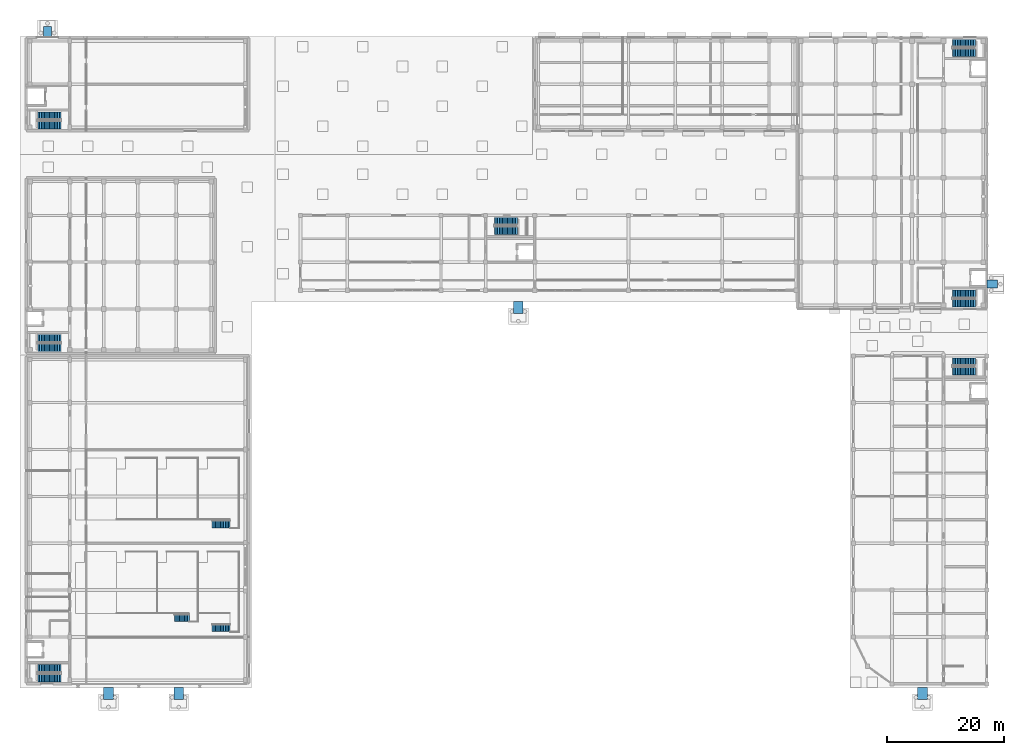
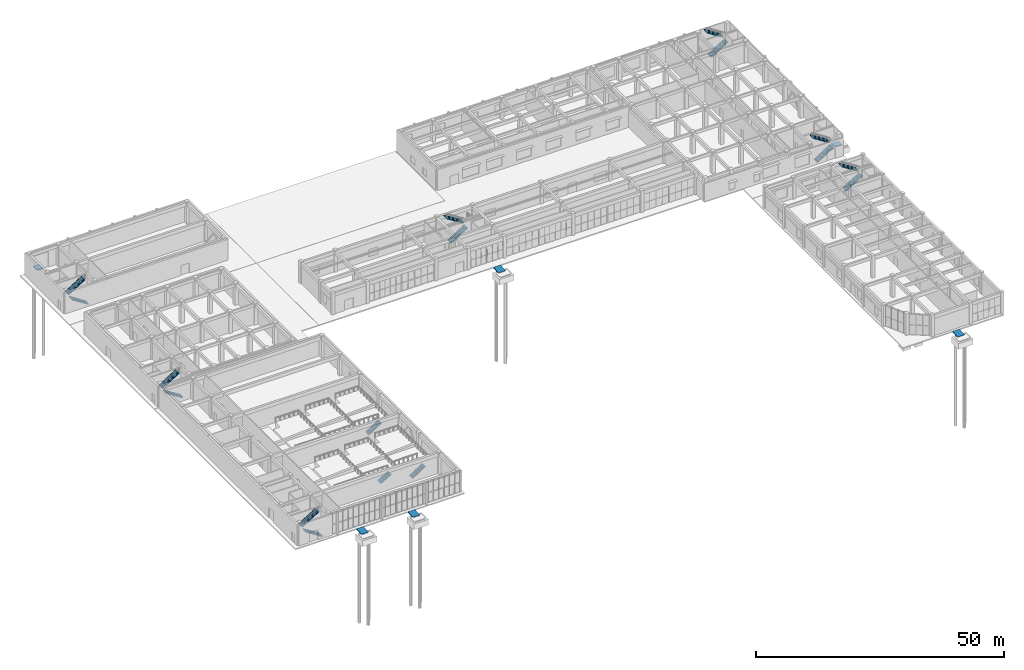
# One storey, part 37 of 46: 17 stair flights, 6 ramp flights, 10 elements without a shape of their own.
"""IFC4 building model written with IfcOpenShell, lengths in metres."""

from ifc_helpers import new_model, si_unit, direction, frame, origin, place, context, subcontext, project, spatial, polyline, outline, extrude, material, type_object, element, aggregate, save


model = new_model("IFC4")

# Units and contexts
model_context = context("Model", 3, precision=1e-05, world=origin(), true_north=direction((0.0, 1.0)))
body_context = subcontext(model_context, "Body", "Model", "MODEL_VIEW")
ifc_project = project(units=[si_unit("LENGTHUNIT", "METRE"), si_unit("AREAUNIT", "SQUARE_METRE"), si_unit("VOLUMEUNIT", "CUBIC_METRE"), si_unit("PLANEANGLEUNIT", "RADIAN"), si_unit("MASSUNIT", "GRAM", prefix="KILO")], contexts=[model_context])

# Site, building, storey
site_placement = place(None, origin())
site = spatial("IfcSite", under=ifc_project, at=site_placement, CompositionType="ELEMENT")
building_placement = place(site_placement, origin())
building = spatial("IfcBuilding", under=site, at=building_placement, Name="Cinchona Park Media Centre", CompositionType="ELEMENT")
storey_placement = place(building_placement, origin())
storey = spatial("IfcBuildingStorey", under=building, at=storey_placement, Name="L00", CompositionType="ELEMENT", Elevation=0.0)

# Stair, stair flights
ifc_material_1 = material(Name="Concrete C35/45", Category="concrete")
stair_type_1 = type_object("IfcStairType", Name="STAIR-ST1-HT54", PredefinedType="HALF_TURN_STAIR", material=ifc_material_1)
stair_1_placement = place(storey_placement, origin())
stair_1 = element("IfcStair", 1, at=stair_1_placement, inside=storey, type_object=stair_type_1, Name="Exit Stair ST1 L00", PredefinedType="HALF_TURN_STAIR")
ifc_material_2 = material(Name="Concrete C35/45", Category="concrete")
stair_flight_type_1 = type_object("IfcStairFlightType", Name="FLIGHT-ST1", PredefinedType="STRAIGHT", material=ifc_material_2)
stair_flight_1_placement = place(storey_placement, frame((166.10009765625, 72.6201171875, 0.0), z_axis=(0.0, 0.0, 1.0), x_axis=(1.0, 0.0, 0.0)))
stair_flight_1 = element("IfcStairFlight", 2, at=stair_flight_1_placement, type_object=stair_flight_type_1, Name="ST1 flight 1", NumberOfRisers=15, NumberOfTreads=14, PredefinedType="STRAIGHT", RiserHeight=0.18, TreadLength=0.28, context=body_context, shape_type="SweptSolid", body=[
    extrude(outline(polyline([(0.0, 0.0), (0.0, 0.179931640625), (0.280029296875, 0.179931640625), (0.280029296875, 0.360107421875), (0.56005859375, 0.360107421875), (0.56005859375, 0.5400390625), (0.840087890625, 0.5400390625), (0.840087890625, 0.719970703125), (1.1201171875, 0.719970703125), (1.1201171875, 0.89990234375), (1.39990234375, 0.89990234375), (1.39990234375, 1.080078125), (1.679931640625, 1.080078125), (1.679931640625, 1.260009765625), (1.9599609375, 1.260009765625), (1.9599609375, 1.43994140625), (2.239990234375, 1.43994140625), (2.239990234375, 1.6201171875), (2.52001953125, 1.6201171875), (2.52001953125, 1.800048828125), (2.800048828125, 1.800048828125), (2.800048828125, 1.97998046875), (3.080078125, 1.97998046875), (3.080078125, 2.159912109375), (3.360107421875, 2.159912109375), (3.360107421875, 2.340087890625), (3.639892578125, 2.340087890625), (3.639892578125, 2.52001953125), (3.919921875, 2.52001953125), (3.919921875, 2.699951171875), (3.919921875, 2.329833984375), (0.295654296875, 0.0), (0.0, 0.0)])), frame((0.0, 0.68017578125, 0.0), z_axis=(0.0, -1.0, 0.0), x_axis=(1.0, 0.0, 0.0)), (0.0, 0.0, 1.0), 1.360107421875),
])
stair_flight_2_placement = place(storey_placement, frame((170.02001953125, 74.179931640625, 2.699951171875), z_axis=(0.0, 0.0, 1.0), x_axis=(-1.0, 0.0, 0.0)))
stair_flight_2 = element("IfcStairFlight", 3, at=stair_flight_2_placement, type_object=stair_flight_type_1, Name="ST1 flight 2", NumberOfRisers=15, NumberOfTreads=14, PredefinedType="STRAIGHT", RiserHeight=0.18, TreadLength=0.28, context=body_context, shape_type="SweptSolid", body=[
    extrude(outline(polyline([(0.0, 0.0), (0.0, 0.179931640625), (0.280029296875, 0.179931640625), (0.280029296875, 0.360107421875), (0.56005859375, 0.360107421875), (0.56005859375, 0.5400390625), (0.840087890625, 0.5400390625), (0.840087890625, 0.719970703125), (1.1201171875, 0.719970703125), (1.1201171875, 0.89990234375), (1.39990234375, 0.89990234375), (1.39990234375, 1.080078125), (1.679931640625, 1.080078125), (1.679931640625, 1.260009765625), (1.9599609375, 1.260009765625), (1.9599609375, 1.43994140625), (2.239990234375, 1.43994140625), (2.239990234375, 1.6201171875), (2.52001953125, 1.6201171875), (2.52001953125, 1.800048828125), (2.800048828125, 1.800048828125), (2.800048828125, 1.97998046875), (3.080078125, 1.97998046875), (3.080078125, 2.159912109375), (3.360107421875, 2.159912109375), (3.360107421875, 2.340087890625), (3.639892578125, 2.340087890625), (3.639892578125, 2.52001953125), (3.919921875, 2.52001953125), (3.919921875, 2.699951171875), (3.919921875, 2.329833984375), (0.295654296875, 0.0), (0.0, 0.0)])), frame((0.0, 0.68017578125, 0.0), z_axis=(0.0, -1.0, 0.0), x_axis=(1.0, 0.0, 0.0)), (0.0, 0.0, 1.0), 1.360107421875),
])
aggregate(stair_1, [stair_flight_1, stair_flight_2])

ifc_material_3 = material(Name="Concrete C35/45", Category="concrete")
stair_type_2 = type_object("IfcStairType", Name="STAIR-ST2-HT54", PredefinedType="HALF_TURN_STAIR", material=ifc_material_3)
stair_2_placement = place(storey_placement, origin())
stair_2 = element("IfcStair", 4, at=stair_2_placement, inside=storey, type_object=stair_type_2, Name="Exit Stair ST2 L00", PredefinedType="HALF_TURN_STAIR")
ifc_material_4 = material(Name="Concrete C35/45", Category="concrete")
stair_flight_type_2 = type_object("IfcStairFlightType", Name="FLIGHT-ST2", PredefinedType="STRAIGHT", material=ifc_material_4)
stair_flight_3_placement = place(storey_placement, frame((166.10009765625, 115.419921875, 0.0), z_axis=(0.0, 0.0, 1.0), x_axis=(1.0, 0.0, 0.0)))
stair_flight_3 = element("IfcStairFlight", 5, at=stair_flight_3_placement, type_object=stair_flight_type_2, Name="ST2 flight 1", NumberOfRisers=15, NumberOfTreads=14, PredefinedType="STRAIGHT", RiserHeight=0.18, TreadLength=0.28, context=body_context, shape_type="SweptSolid", body=[
    extrude(outline(polyline([(0.0, 0.0), (0.0, 0.179931640625), (0.280029296875, 0.179931640625), (0.280029296875, 0.360107421875), (0.56005859375, 0.360107421875), (0.56005859375, 0.5400390625), (0.840087890625, 0.5400390625), (0.840087890625, 0.719970703125), (1.1201171875, 0.719970703125), (1.1201171875, 0.89990234375), (1.39990234375, 0.89990234375), (1.39990234375, 1.080078125), (1.679931640625, 1.080078125), (1.679931640625, 1.260009765625), (1.9599609375, 1.260009765625), (1.9599609375, 1.43994140625), (2.239990234375, 1.43994140625), (2.239990234375, 1.6201171875), (2.52001953125, 1.6201171875), (2.52001953125, 1.800048828125), (2.800048828125, 1.800048828125), (2.800048828125, 1.97998046875), (3.080078125, 1.97998046875), (3.080078125, 2.159912109375), (3.360107421875, 2.159912109375), (3.360107421875, 2.340087890625), (3.639892578125, 2.340087890625), (3.639892578125, 2.52001953125), (3.919921875, 2.52001953125), (3.919921875, 2.699951171875), (3.919921875, 2.329833984375), (0.295654296875, 0.0), (0.0, 0.0)])), frame((0.0, 0.68017578125, 0.0), z_axis=(0.0, -1.0, 0.0), x_axis=(1.0, 0.0, 0.0)), (0.0, 0.0, 1.0), 1.360107421875),
])
stair_flight_4_placement = place(storey_placement, frame((170.02001953125, 116.97998046875, 2.699951171875), z_axis=(0.0, 0.0, 1.0), x_axis=(-1.0, 0.0, 0.0)))
stair_flight_4 = element("IfcStairFlight", 6, at=stair_flight_4_placement, type_object=stair_flight_type_2, Name="ST2 flight 2", NumberOfRisers=15, NumberOfTreads=14, PredefinedType="STRAIGHT", RiserHeight=0.18, TreadLength=0.28, context=body_context, shape_type="SweptSolid", body=[
    extrude(outline(polyline([(0.0, 0.0), (0.0, 0.179931640625), (0.280029296875, 0.179931640625), (0.280029296875, 0.360107421875), (0.56005859375, 0.360107421875), (0.56005859375, 0.5400390625), (0.840087890625, 0.5400390625), (0.840087890625, 0.719970703125), (1.1201171875, 0.719970703125), (1.1201171875, 0.89990234375), (1.39990234375, 0.89990234375), (1.39990234375, 1.080078125), (1.679931640625, 1.080078125), (1.679931640625, 1.260009765625), (1.9599609375, 1.260009765625), (1.9599609375, 1.43994140625), (2.239990234375, 1.43994140625), (2.239990234375, 1.6201171875), (2.52001953125, 1.6201171875), (2.52001953125, 1.800048828125), (2.800048828125, 1.800048828125), (2.800048828125, 1.97998046875), (3.080078125, 1.97998046875), (3.080078125, 2.159912109375), (3.360107421875, 2.159912109375), (3.360107421875, 2.340087890625), (3.639892578125, 2.340087890625), (3.639892578125, 2.52001953125), (3.919921875, 2.52001953125), (3.919921875, 2.699951171875), (3.919921875, 2.329833984375), (0.295654296875, 0.0), (0.0, 0.0)])), frame((0.0, 0.68017578125, 0.0), z_axis=(0.0, -1.0, 0.0), x_axis=(1.0, 0.0, 0.0)), (0.0, 0.0, 1.0), 1.360107421875),
])
aggregate(stair_2, [stair_flight_3, stair_flight_4])

ifc_material_5 = material(Name="Concrete C35/45", Category="concrete")
stair_type_3 = type_object("IfcStairType", Name="STAIR-ST3-HT54", PredefinedType="HALF_TURN_STAIR", material=ifc_material_5)
stair_3_placement = place(storey_placement, origin())
stair_3 = element("IfcStair", 7, at=stair_3_placement, inside=storey, type_object=stair_type_3, Name="Exit Stair ST3 L00", PredefinedType="HALF_TURN_STAIR")
ifc_material_6 = material(Name="Concrete C35/45", Category="concrete")
stair_flight_type_3 = type_object("IfcStairFlightType", Name="FLIGHT-ST3", PredefinedType="STRAIGHT", material=ifc_material_6)
stair_flight_5_placement = place(storey_placement, frame((13.89990234375, 65.02001953125, 0.0), z_axis=(0.0, 0.0, 1.0), x_axis=(-1.0, 0.0, 0.0)))
stair_flight_5 = element("IfcStairFlight", 8, at=stair_flight_5_placement, type_object=stair_flight_type_3, Name="ST3 flight 1", NumberOfRisers=15, NumberOfTreads=14, PredefinedType="STRAIGHT", RiserHeight=0.18, TreadLength=0.28, context=body_context, shape_type="SweptSolid", body=[
    extrude(outline(polyline([(0.0, 0.0), (0.0, 0.179931640625), (0.280029296875, 0.179931640625), (0.280029296875, 0.360107421875), (0.56005859375, 0.360107421875), (0.56005859375, 0.5400390625), (0.840087890625, 0.5400390625), (0.840087890625, 0.719970703125), (1.1201171875, 0.719970703125), (1.1201171875, 0.89990234375), (1.39990234375, 0.89990234375), (1.39990234375, 1.080078125), (1.679931640625, 1.080078125), (1.679931640625, 1.260009765625), (1.9599609375, 1.260009765625), (1.9599609375, 1.43994140625), (2.239990234375, 1.43994140625), (2.239990234375, 1.6201171875), (2.52001953125, 1.6201171875), (2.52001953125, 1.800048828125), (2.800048828125, 1.800048828125), (2.800048828125, 1.97998046875), (3.080078125, 1.97998046875), (3.080078125, 2.159912109375), (3.360107421875, 2.159912109375), (3.360107421875, 2.340087890625), (3.639892578125, 2.340087890625), (3.639892578125, 2.52001953125), (3.919921875, 2.52001953125), (3.919921875, 2.699951171875), (3.919921875, 2.329833984375), (0.295654296875, 0.0), (0.0, 0.0)])), frame((0.0, 0.68017578125, 0.0), z_axis=(0.0, -1.0, 0.0), x_axis=(1.0, 0.0, 0.0)), (0.0, 0.0, 1.0), 1.360107421875),
])
stair_flight_6_placement = place(storey_placement, frame((9.97998046875, 66.580078125, 2.699951171875), z_axis=(0.0, 0.0, 1.0), x_axis=(1.0, 0.0, 0.0)))
stair_flight_6 = element("IfcStairFlight", 9, at=stair_flight_6_placement, type_object=stair_flight_type_3, Name="ST3 flight 2", NumberOfRisers=15, NumberOfTreads=14, PredefinedType="STRAIGHT", RiserHeight=0.18, TreadLength=0.28, context=body_context, shape_type="SweptSolid", body=[
    extrude(outline(polyline([(0.0, 0.0), (0.0, 0.179931640625), (0.280029296875, 0.179931640625), (0.280029296875, 0.360107421875), (0.56005859375, 0.360107421875), (0.56005859375, 0.5400390625), (0.840087890625, 0.5400390625), (0.840087890625, 0.719970703125), (1.1201171875, 0.719970703125), (1.1201171875, 0.89990234375), (1.39990234375, 0.89990234375), (1.39990234375, 1.080078125), (1.679931640625, 1.080078125), (1.679931640625, 1.260009765625), (1.9599609375, 1.260009765625), (1.9599609375, 1.43994140625), (2.239990234375, 1.43994140625), (2.239990234375, 1.6201171875), (2.52001953125, 1.6201171875), (2.52001953125, 1.800048828125), (2.800048828125, 1.800048828125), (2.800048828125, 1.97998046875), (3.080078125, 1.97998046875), (3.080078125, 2.159912109375), (3.360107421875, 2.159912109375), (3.360107421875, 2.340087890625), (3.639892578125, 2.340087890625), (3.639892578125, 2.52001953125), (3.919921875, 2.52001953125), (3.919921875, 2.699951171875), (3.919921875, 2.329833984375), (0.295654296875, 0.0), (0.0, 0.0)])), frame((0.0, 0.68017578125, 0.0), z_axis=(0.0, -1.0, 0.0), x_axis=(1.0, 0.0, 0.0)), (0.0, 0.0, 1.0), 1.360107421875),
])
aggregate(stair_3, [stair_flight_5, stair_flight_6])

ifc_material_7 = material(Name="Concrete C35/45", Category="concrete")
stair_type_4 = type_object("IfcStairType", Name="STAIR-ST4-HT54", PredefinedType="HALF_TURN_STAIR", material=ifc_material_7)
stair_4_placement = place(storey_placement, origin())
stair_4 = element("IfcStair", 10, at=stair_4_placement, inside=storey, type_object=stair_type_4, Name="Exit Stair ST4 L00", PredefinedType="HALF_TURN_STAIR")
ifc_material_8 = material(Name="Concrete C35/45", Category="concrete")
stair_flight_type_4 = type_object("IfcStairFlightType", Name="FLIGHT-ST4", PredefinedType="STRAIGHT", material=ifc_material_8)
stair_flight_7_placement = place(storey_placement, frame((13.89990234375, 103.02001953125, 0.0), z_axis=(0.0, 0.0, 1.0), x_axis=(-1.0, 0.0, 0.0)))
stair_flight_7 = element("IfcStairFlight", 11, at=stair_flight_7_placement, type_object=stair_flight_type_4, Name="ST4 flight 1", NumberOfRisers=15, NumberOfTreads=14, PredefinedType="STRAIGHT", RiserHeight=0.18, TreadLength=0.28, context=body_context, shape_type="SweptSolid", body=[
    extrude(outline(polyline([(0.0, 0.0), (0.0, 0.179931640625), (0.280029296875, 0.179931640625), (0.280029296875, 0.360107421875), (0.56005859375, 0.360107421875), (0.56005859375, 0.5400390625), (0.840087890625, 0.5400390625), (0.840087890625, 0.719970703125), (1.1201171875, 0.719970703125), (1.1201171875, 0.89990234375), (1.39990234375, 0.89990234375), (1.39990234375, 1.080078125), (1.679931640625, 1.080078125), (1.679931640625, 1.260009765625), (1.9599609375, 1.260009765625), (1.9599609375, 1.43994140625), (2.239990234375, 1.43994140625), (2.239990234375, 1.6201171875), (2.52001953125, 1.6201171875), (2.52001953125, 1.800048828125), (2.800048828125, 1.800048828125), (2.800048828125, 1.97998046875), (3.080078125, 1.97998046875), (3.080078125, 2.159912109375), (3.360107421875, 2.159912109375), (3.360107421875, 2.340087890625), (3.639892578125, 2.340087890625), (3.639892578125, 2.52001953125), (3.919921875, 2.52001953125), (3.919921875, 2.699951171875), (3.919921875, 2.329833984375), (0.295654296875, 0.0), (0.0, 0.0)])), frame((0.0, 0.68017578125, 0.0), z_axis=(0.0, -1.0, 0.0), x_axis=(1.0, 0.0, 0.0)), (0.0, 0.0, 1.0), 1.360107421875),
])
stair_flight_8_placement = place(storey_placement, frame((9.97998046875, 104.580078125, 2.699951171875), z_axis=(0.0, 0.0, 1.0), x_axis=(1.0, 0.0, 0.0)))
stair_flight_8 = element("IfcStairFlight", 12, at=stair_flight_8_placement, type_object=stair_flight_type_4, Name="ST4 flight 2", NumberOfRisers=15, NumberOfTreads=14, PredefinedType="STRAIGHT", RiserHeight=0.18, TreadLength=0.28, context=body_context, shape_type="SweptSolid", body=[
    extrude(outline(polyline([(0.0, 0.0), (0.0, 0.179931640625), (0.280029296875, 0.179931640625), (0.280029296875, 0.360107421875), (0.56005859375, 0.360107421875), (0.56005859375, 0.5400390625), (0.840087890625, 0.5400390625), (0.840087890625, 0.719970703125), (1.1201171875, 0.719970703125), (1.1201171875, 0.89990234375), (1.39990234375, 0.89990234375), (1.39990234375, 1.080078125), (1.679931640625, 1.080078125), (1.679931640625, 1.260009765625), (1.9599609375, 1.260009765625), (1.9599609375, 1.43994140625), (2.239990234375, 1.43994140625), (2.239990234375, 1.6201171875), (2.52001953125, 1.6201171875), (2.52001953125, 1.800048828125), (2.800048828125, 1.800048828125), (2.800048828125, 1.97998046875), (3.080078125, 1.97998046875), (3.080078125, 2.159912109375), (3.360107421875, 2.159912109375), (3.360107421875, 2.340087890625), (3.639892578125, 2.340087890625), (3.639892578125, 2.52001953125), (3.919921875, 2.52001953125), (3.919921875, 2.699951171875), (3.919921875, 2.329833984375), (0.295654296875, 0.0), (0.0, 0.0)])), frame((0.0, 0.68017578125, 0.0), z_axis=(0.0, -1.0, 0.0), x_axis=(1.0, 0.0, 0.0)), (0.0, 0.0, 1.0), 1.360107421875),
])
aggregate(stair_4, [stair_flight_7, stair_flight_8])

ifc_material_9 = material(Name="Concrete C35/45", Category="concrete")
stair_type_5 = type_object("IfcStairType", Name="STAIR-ST5-HT54", PredefinedType="HALF_TURN_STAIR", material=ifc_material_9)
stair_5_placement = place(storey_placement, origin())
stair_5 = element("IfcStair", 13, at=stair_5_placement, inside=storey, type_object=stair_type_5, Name="Exit Stair ST5 L00", PredefinedType="HALF_TURN_STAIR")
ifc_material_10 = material(Name="Concrete C35/45", Category="concrete")
stair_flight_type_5 = type_object("IfcStairFlightType", Name="FLIGHT-ST5", PredefinedType="STRAIGHT", material=ifc_material_10)
stair_flight_9_placement = place(storey_placement, frame((87.89990234375, 85.02001953125, 0.0), z_axis=(0.0, 0.0, 1.0), x_axis=(1.0, 0.0, 0.0)))
stair_flight_9 = element("IfcStairFlight", 14, at=stair_flight_9_placement, type_object=stair_flight_type_5, Name="ST5 flight 1", NumberOfRisers=15, NumberOfTreads=14, PredefinedType="STRAIGHT", RiserHeight=0.18, TreadLength=0.28, context=body_context, shape_type="SweptSolid", body=[
    extrude(outline(polyline([(0.0, 0.0), (0.0, 0.179931640625), (0.280029296875, 0.179931640625), (0.280029296875, 0.360107421875), (0.56005859375, 0.360107421875), (0.56005859375, 0.5400390625), (0.840087890625, 0.5400390625), (0.840087890625, 0.719970703125), (1.1201171875, 0.719970703125), (1.1201171875, 0.89990234375), (1.39990234375, 0.89990234375), (1.39990234375, 1.080078125), (1.679931640625, 1.080078125), (1.679931640625, 1.260009765625), (1.9599609375, 1.260009765625), (1.9599609375, 1.43994140625), (2.239990234375, 1.43994140625), (2.239990234375, 1.6201171875), (2.52001953125, 1.6201171875), (2.52001953125, 1.800048828125), (2.800048828125, 1.800048828125), (2.800048828125, 1.97998046875), (3.080078125, 1.97998046875), (3.080078125, 2.159912109375), (3.360107421875, 2.159912109375), (3.360107421875, 2.340087890625), (3.639892578125, 2.340087890625), (3.639892578125, 2.52001953125), (3.919921875, 2.52001953125), (3.919921875, 2.699951171875), (3.919921875, 2.329833984375), (0.295654296875, 0.0), (0.0, 0.0)])), frame((0.0, 0.68017578125, 0.0), z_axis=(0.0, -1.0, 0.0), x_axis=(1.0, 0.0, 0.0)), (0.0, 0.0, 1.0), 1.360107421875),
])
stair_flight_10_placement = place(storey_placement, frame((91.820068359375, 86.580078125, 2.699951171875), z_axis=(0.0, 0.0, 1.0), x_axis=(-1.0, 0.0, 0.0)))
stair_flight_10 = element("IfcStairFlight", 15, at=stair_flight_10_placement, type_object=stair_flight_type_5, Name="ST5 flight 2", NumberOfRisers=15, NumberOfTreads=14, PredefinedType="STRAIGHT", RiserHeight=0.18, TreadLength=0.28, context=body_context, shape_type="SweptSolid", body=[
    extrude(outline(polyline([(0.0, 0.0), (0.0, 0.179931640625), (0.280029296875, 0.179931640625), (0.280029296875, 0.360107421875), (0.56005859375, 0.360107421875), (0.56005859375, 0.5400390625), (0.840087890625, 0.5400390625), (0.840087890625, 0.719970703125), (1.1201171875, 0.719970703125), (1.1201171875, 0.89990234375), (1.39990234375, 0.89990234375), (1.39990234375, 1.080078125), (1.679931640625, 1.080078125), (1.679931640625, 1.260009765625), (1.9599609375, 1.260009765625), (1.9599609375, 1.43994140625), (2.239990234375, 1.43994140625), (2.239990234375, 1.6201171875), (2.52001953125, 1.6201171875), (2.52001953125, 1.800048828125), (2.800048828125, 1.800048828125), (2.800048828125, 1.97998046875), (3.080078125, 1.97998046875), (3.080078125, 2.159912109375), (3.360107421875, 2.159912109375), (3.360107421875, 2.340087890625), (3.639892578125, 2.340087890625), (3.639892578125, 2.52001953125), (3.919921875, 2.52001953125), (3.919921875, 2.699951171875), (3.919921875, 2.329833984375), (0.295654296875, 0.0), (0.0, 0.0)])), frame((0.0, 0.68017578125, 0.0), z_axis=(0.0, -1.0, 0.0), x_axis=(1.0, 0.0, 0.0)), (0.0, 0.0, 1.0), 1.360107421875),
])
aggregate(stair_5, [stair_flight_9, stair_flight_10])

ifc_material_11 = material(Name="Concrete C35/45", Category="concrete")
stair_type_6 = type_object("IfcStairType", Name="STAIR-ST6-HT54", PredefinedType="HALF_TURN_STAIR", material=ifc_material_11)
stair_6_placement = place(storey_placement, origin())
stair_6 = element("IfcStair", 16, at=stair_6_placement, inside=storey, type_object=stair_type_6, Name="Exit Stair ST6 L00", PredefinedType="HALF_TURN_STAIR")
ifc_material_12 = material(Name="Concrete C35/45", Category="concrete")
stair_flight_type_6 = type_object("IfcStairFlightType", Name="FLIGHT-ST6", PredefinedType="STRAIGHT", material=ifc_material_12)
stair_flight_11_placement = place(storey_placement, frame((13.89990234375, 8.6201171875, 0.0), z_axis=(0.0, 0.0, 1.0), x_axis=(-1.0, 0.0, 0.0)))
stair_flight_11 = element("IfcStairFlight", 17, at=stair_flight_11_placement, type_object=stair_flight_type_6, Name="ST6 flight 1", NumberOfRisers=15, NumberOfTreads=14, PredefinedType="STRAIGHT", RiserHeight=0.18, TreadLength=0.28, context=body_context, shape_type="SweptSolid", body=[
    extrude(outline(polyline([(0.0, 0.0), (0.0, 0.179931640625), (0.280029296875, 0.179931640625), (0.280029296875, 0.360107421875), (0.56005859375, 0.360107421875), (0.56005859375, 0.5400390625), (0.840087890625, 0.5400390625), (0.840087890625, 0.719970703125), (1.1201171875, 0.719970703125), (1.1201171875, 0.89990234375), (1.39990234375, 0.89990234375), (1.39990234375, 1.080078125), (1.679931640625, 1.080078125), (1.679931640625, 1.260009765625), (1.9599609375, 1.260009765625), (1.9599609375, 1.43994140625), (2.239990234375, 1.43994140625), (2.239990234375, 1.6201171875), (2.52001953125, 1.6201171875), (2.52001953125, 1.800048828125), (2.800048828125, 1.800048828125), (2.800048828125, 1.97998046875), (3.080078125, 1.97998046875), (3.080078125, 2.159912109375), (3.360107421875, 2.159912109375), (3.360107421875, 2.340087890625), (3.639892578125, 2.340087890625), (3.639892578125, 2.52001953125), (3.919921875, 2.52001953125), (3.919921875, 2.699951171875), (3.919921875, 2.329833984375), (0.295654296875, 0.0), (0.0, 0.0)])), frame((0.0, 0.68017578125, 0.0), z_axis=(0.0, -1.0, 0.0), x_axis=(1.0, 0.0, 0.0)), (0.0, 0.0, 1.0), 1.360107421875),
])
stair_flight_12_placement = place(storey_placement, frame((9.97998046875, 10.179931640625, 2.699951171875), z_axis=(0.0, 0.0, 1.0), x_axis=(1.0, 0.0, 0.0)))
stair_flight_12 = element("IfcStairFlight", 18, at=stair_flight_12_placement, type_object=stair_flight_type_6, Name="ST6 flight 2", NumberOfRisers=15, NumberOfTreads=14, PredefinedType="STRAIGHT", RiserHeight=0.18, TreadLength=0.28, context=body_context, shape_type="SweptSolid", body=[
    extrude(outline(polyline([(0.0, 0.0), (0.0, 0.179931640625), (0.280029296875, 0.179931640625), (0.280029296875, 0.360107421875), (0.56005859375, 0.360107421875), (0.56005859375, 0.5400390625), (0.840087890625, 0.5400390625), (0.840087890625, 0.719970703125), (1.1201171875, 0.719970703125), (1.1201171875, 0.89990234375), (1.39990234375, 0.89990234375), (1.39990234375, 1.080078125), (1.679931640625, 1.080078125), (1.679931640625, 1.260009765625), (1.9599609375, 1.260009765625), (1.9599609375, 1.43994140625), (2.239990234375, 1.43994140625), (2.239990234375, 1.6201171875), (2.52001953125, 1.6201171875), (2.52001953125, 1.800048828125), (2.800048828125, 1.800048828125), (2.800048828125, 1.97998046875), (3.080078125, 1.97998046875), (3.080078125, 2.159912109375), (3.360107421875, 2.159912109375), (3.360107421875, 2.340087890625), (3.639892578125, 2.340087890625), (3.639892578125, 2.52001953125), (3.919921875, 2.52001953125), (3.919921875, 2.699951171875), (3.919921875, 2.329833984375), (0.295654296875, 0.0), (0.0, 0.0)])), frame((0.0, 0.68017578125, 0.0), z_axis=(0.0, -1.0, 0.0), x_axis=(1.0, 0.0, 0.0)), (0.0, 0.0, 1.0), 1.360107421875),
])
aggregate(stair_6, [stair_flight_11, stair_flight_12])

ifc_material_13 = material(Name="Concrete C35/45", Category="concrete")
stair_type_7 = type_object("IfcStairType", Name="STAIR-ST7-HT54", PredefinedType="HALF_TURN_STAIR", material=ifc_material_13)
stair_7_placement = place(storey_placement, origin())
stair_7 = element("IfcStair", 19, at=stair_7_placement, inside=storey, type_object=stair_type_7, Name="Exit Stair ST7 L00", PredefinedType="HALF_TURN_STAIR")
ifc_material_14 = material(Name="Concrete C35/45", Category="concrete")
stair_flight_type_7 = type_object("IfcStairFlightType", Name="FLIGHT-ST7", PredefinedType="STRAIGHT", material=ifc_material_14)
stair_flight_13_placement = place(storey_placement, frame((166.10009765625, 61.02001953125, 0.0), z_axis=(0.0, 0.0, 1.0), x_axis=(1.0, 0.0, 0.0)))
stair_flight_13 = element("IfcStairFlight", 20, at=stair_flight_13_placement, type_object=stair_flight_type_7, Name="ST7 flight 1", NumberOfRisers=15, NumberOfTreads=14, PredefinedType="STRAIGHT", RiserHeight=0.18, TreadLength=0.28, context=body_context, shape_type="SweptSolid", body=[
    extrude(outline(polyline([(0.0, 0.0), (0.0, 0.179931640625), (0.280029296875, 0.179931640625), (0.280029296875, 0.360107421875), (0.56005859375, 0.360107421875), (0.56005859375, 0.5400390625), (0.840087890625, 0.5400390625), (0.840087890625, 0.719970703125), (1.1201171875, 0.719970703125), (1.1201171875, 0.89990234375), (1.39990234375, 0.89990234375), (1.39990234375, 1.080078125), (1.679931640625, 1.080078125), (1.679931640625, 1.260009765625), (1.9599609375, 1.260009765625), (1.9599609375, 1.43994140625), (2.239990234375, 1.43994140625), (2.239990234375, 1.6201171875), (2.52001953125, 1.6201171875), (2.52001953125, 1.800048828125), (2.800048828125, 1.800048828125), (2.800048828125, 1.97998046875), (3.080078125, 1.97998046875), (3.080078125, 2.159912109375), (3.360107421875, 2.159912109375), (3.360107421875, 2.340087890625), (3.639892578125, 2.340087890625), (3.639892578125, 2.52001953125), (3.919921875, 2.52001953125), (3.919921875, 2.699951171875), (3.919921875, 2.329833984375), (0.295654296875, 0.0), (0.0, 0.0)])), frame((0.0, 0.68017578125, 0.0), z_axis=(0.0, -1.0, 0.0), x_axis=(1.0, 0.0, 0.0)), (0.0, 0.0, 1.0), 1.360107421875),
])
stair_flight_14_placement = place(storey_placement, frame((170.02001953125, 62.580078125, 2.699951171875), z_axis=(0.0, 0.0, 1.0), x_axis=(-1.0, 0.0, 0.0)))
stair_flight_14 = element("IfcStairFlight", 21, at=stair_flight_14_placement, type_object=stair_flight_type_7, Name="ST7 flight 2", NumberOfRisers=15, NumberOfTreads=14, PredefinedType="STRAIGHT", RiserHeight=0.18, TreadLength=0.28, context=body_context, shape_type="SweptSolid", body=[
    extrude(outline(polyline([(0.0, 0.0), (0.0, 0.179931640625), (0.280029296875, 0.179931640625), (0.280029296875, 0.360107421875), (0.56005859375, 0.360107421875), (0.56005859375, 0.5400390625), (0.840087890625, 0.5400390625), (0.840087890625, 0.719970703125), (1.1201171875, 0.719970703125), (1.1201171875, 0.89990234375), (1.39990234375, 0.89990234375), (1.39990234375, 1.080078125), (1.679931640625, 1.080078125), (1.679931640625, 1.260009765625), (1.9599609375, 1.260009765625), (1.9599609375, 1.43994140625), (2.239990234375, 1.43994140625), (2.239990234375, 1.6201171875), (2.52001953125, 1.6201171875), (2.52001953125, 1.800048828125), (2.800048828125, 1.800048828125), (2.800048828125, 1.97998046875), (3.080078125, 1.97998046875), (3.080078125, 2.159912109375), (3.360107421875, 2.159912109375), (3.360107421875, 2.340087890625), (3.639892578125, 2.340087890625), (3.639892578125, 2.52001953125), (3.919921875, 2.52001953125), (3.919921875, 2.699951171875), (3.919921875, 2.329833984375), (0.295654296875, 0.0), (0.0, 0.0)])), frame((0.0, 0.68017578125, 0.0), z_axis=(0.0, -1.0, 0.0), x_axis=(1.0, 0.0, 0.0)), (0.0, 0.0, 1.0), 1.360107421875),
])
aggregate(stair_7, [stair_flight_13, stair_flight_14])

# Stair, stair flight
ifc_material_15 = material(Name="Concrete C35/45", Category="concrete")
stair_type_8 = type_object("IfcStairType", Name="STAIR-SVM1", PredefinedType="STRAIGHT_RUN_STAIR", material=ifc_material_15)
stair_8_placement = place(storey_placement, origin())
stair_8 = element("IfcStair", 22, at=stair_8_placement, inside=storey, type_object=stair_type_8, Name="Auditorium Vomitory Stair SVM1 L00", PredefinedType="STRAIGHT_RUN_STAIR")
ifc_material_16 = material(Name="Concrete C35/45", Category="concrete")
stair_flight_type_8 = type_object("IfcStairFlightType", Name="FLIGHT-SVM1", PredefinedType="STRAIGHT", material=ifc_material_16)
stair_flight_15_placement = place(storey_placement, frame((39.719970703125, 17.14990234375, 0.0), z_axis=(0.0, 0.0, 1.0), x_axis=(1.0, 0.0, 0.0)))
stair_flight_15 = element("IfcStairFlight", 23, at=stair_flight_15_placement, type_object=stair_flight_type_8, Name="SVM1 flight 1", NumberOfRisers=12, NumberOfTreads=11, PredefinedType="STRAIGHT", RiserHeight=0.18, TreadLength=0.28, context=body_context, shape_type="SweptSolid", body=[
    extrude(outline(polyline([(0.0, 0.0), (0.0, 0.179931640625), (0.280029296875, 0.179931640625), (0.280029296875, 0.360107421875), (0.56005859375, 0.360107421875), (0.56005859375, 0.5400390625), (0.840087890625, 0.5400390625), (0.840087890625, 0.719970703125), (1.1201171875, 0.719970703125), (1.1201171875, 0.89990234375), (1.39990234375, 0.89990234375), (1.39990234375, 1.080078125), (1.679931640625, 1.080078125), (1.679931640625, 1.260009765625), (1.9599609375, 1.260009765625), (1.9599609375, 1.43994140625), (2.239990234375, 1.43994140625), (2.239990234375, 1.6201171875), (2.52001953125, 1.6201171875), (2.52001953125, 1.800048828125), (2.800048828125, 1.800048828125), (2.800048828125, 1.97998046875), (3.080078125, 1.97998046875), (3.080078125, 2.159912109375), (3.080078125, 1.789794921875), (0.295654296875, 0.0), (0.0, 0.0)])), frame((0.0, 0.625, 0.0), z_axis=(0.0, -1.0, 0.0), x_axis=(1.0, 0.0, 0.0)), (0.0, 0.0, 1.0), 1.25),
])
aggregate(stair_8, [stair_flight_15])

ifc_material_17 = material(Name="Concrete C35/45", Category="concrete")
stair_type_9 = type_object("IfcStairType", Name="STAIR-SVM2", PredefinedType="STRAIGHT_RUN_STAIR", material=ifc_material_17)
stair_9_placement = place(storey_placement, origin())
stair_9 = element("IfcStair", 24, at=stair_9_placement, inside=storey, type_object=stair_type_9, Name="Auditorium Vomitory Stair SVM2 L00", PredefinedType="STRAIGHT_RUN_STAIR")
ifc_material_18 = material(Name="Concrete C35/45", Category="concrete")
stair_flight_type_9 = type_object("IfcStairFlightType", Name="FLIGHT-SVM2", PredefinedType="STRAIGHT", material=ifc_material_18)
stair_flight_16_placement = place(storey_placement, frame((39.719970703125, 34.85009765625, 0.0), z_axis=(0.0, 0.0, 1.0), x_axis=(1.0, 0.0, 0.0)))
stair_flight_16 = element("IfcStairFlight", 25, at=stair_flight_16_placement, type_object=stair_flight_type_9, Name="SVM2 flight 1", NumberOfRisers=12, NumberOfTreads=11, PredefinedType="STRAIGHT", RiserHeight=0.18, TreadLength=0.28, context=body_context, shape_type="SweptSolid", body=[
    extrude(outline(polyline([(0.0, 0.0), (0.0, 0.179931640625), (0.280029296875, 0.179931640625), (0.280029296875, 0.360107421875), (0.56005859375, 0.360107421875), (0.56005859375, 0.5400390625), (0.840087890625, 0.5400390625), (0.840087890625, 0.719970703125), (1.1201171875, 0.719970703125), (1.1201171875, 0.89990234375), (1.39990234375, 0.89990234375), (1.39990234375, 1.080078125), (1.679931640625, 1.080078125), (1.679931640625, 1.260009765625), (1.9599609375, 1.260009765625), (1.9599609375, 1.43994140625), (2.239990234375, 1.43994140625), (2.239990234375, 1.6201171875), (2.52001953125, 1.6201171875), (2.52001953125, 1.800048828125), (2.800048828125, 1.800048828125), (2.800048828125, 1.97998046875), (3.080078125, 1.97998046875), (3.080078125, 2.159912109375), (3.080078125, 1.789794921875), (0.295654296875, 0.0), (0.0, 0.0)])), frame((0.0, 0.625, 0.0), z_axis=(0.0, -1.0, 0.0), x_axis=(1.0, 0.0, 0.0)), (0.0, 0.0, 1.0), 1.25),
])
aggregate(stair_9, [stair_flight_16])

ifc_material_19 = material(Name="Concrete C35/45", Category="concrete")
stair_type_10 = type_object("IfcStairType", Name="STAIR-SVM7", PredefinedType="STRAIGHT_RUN_STAIR", material=ifc_material_19)
stair_10_placement = place(storey_placement, origin())
stair_10 = element("IfcStair", 26, at=stair_10_placement, inside=storey, type_object=stair_type_10, Name="Auditorium Vomitory Stair SVM7 L00", PredefinedType="STRAIGHT_RUN_STAIR")
ifc_material_20 = material(Name="Concrete C35/45", Category="concrete")
stair_flight_type_10 = type_object("IfcStairFlightType", Name="FLIGHT-SVM7", PredefinedType="STRAIGHT", material=ifc_material_20)
stair_flight_17_placement = place(storey_placement, frame((33.2900390625, 18.85009765625, 0.0), z_axis=(0.0, 0.0, 1.0), x_axis=(1.0, 0.0, 0.0)))
stair_flight_17 = element("IfcStairFlight", 27, at=stair_flight_17_placement, type_object=stair_flight_type_10, Name="SVM7 flight 1", NumberOfRisers=10, NumberOfTreads=9, PredefinedType="STRAIGHT", RiserHeight=0.162, TreadLength=0.28, context=body_context, shape_type="SweptSolid", body=[
    extrude(outline(polyline([(0.0, 0.0), (0.0, 0.162109375), (0.280029296875, 0.162109375), (0.280029296875, 0.323974609375), (0.56005859375, 0.323974609375), (0.56005859375, 0.486083984375), (0.840087890625, 0.486083984375), (0.840087890625, 0.64794921875), (1.1201171875, 0.64794921875), (1.1201171875, 0.81005859375), (1.39990234375, 0.81005859375), (1.39990234375, 0.971923828125), (1.679931640625, 0.971923828125), (1.679931640625, 1.134033203125), (1.9599609375, 1.134033203125), (1.9599609375, 1.2958984375), (2.239990234375, 1.2958984375), (2.239990234375, 1.4580078125), (2.52001953125, 1.4580078125), (2.52001953125, 1.6201171875), (2.52001953125, 1.273193359375), (0.3193359375, 0.0), (0.0, 0.0)])), frame((0.0, 0.625, 0.0), z_axis=(0.0, -1.0, 0.0), x_axis=(1.0, 0.0, 0.0)), (0.0, 0.0, 1.0), 1.25),
])
aggregate(stair_10, [stair_flight_17])

# Ramp flights
ifc_material_21 = material(Name="Concrete C40/50", Category="concrete")
ramp_flight_type = type_object("IfcRampFlightType", Name="RAMP-FLIGHT-RFL01", PredefinedType="STRAIGHT", material=ifc_material_21)
for number, where, z_axis, x_axis, name in (
    (28, (22.0, 4.89990234375, -0.199951171875), (0.0, 0.0, 1.0), (0.0, 1.0, 0.0), "Ramp Flight RMP-01"),
    (29, (34.0, 4.89990234375, -0.199951171875), (0.0, 0.0, 1.0), (0.0, 1.0, 0.0), "Ramp Flight RMP-02"),
    (30, (92.0, 70.800048828125, -0.199951171875), (0.0, 0.0, 1.0), (0.0, 1.0, 0.0), "Ramp Flight RMP-03"),
    (31, (161.0, 4.89990234375, -0.199951171875), (0.0, 0.0, 1.0), (0.0, 1.0, 0.0), "Ramp Flight RMP-04"),
):
    element("IfcRampFlight", number, at=place(storey_placement, frame(where, z_axis=z_axis, x_axis=x_axis)), inside=storey, type_object=ramp_flight_type, Name=name, PredefinedType="STRAIGHT", context=body_context, shape_type="SweptSolid", body=[
        extrude(outline(polyline([(0.0, 0.0), (2.050048828125, 0.169921875), (2.050048828125, -0.050048828125), (0.0, -0.219970703125), (0.0, 0.0)])), frame((0.0, 0.824951171875, 0.0), z_axis=(0.0, -1.0, 0.0), x_axis=(1.0, 0.0, 0.0)), (0.0, 0.0, 1.0), 1.64990234375),
    ])
for number, where, z_axis, x_axis, name in (
    (32, (173.85009765625, 75.85009765625, -0.14990234375), (0.0, 0.0, 1.0), (-1.0, 0.0, 0.0), "Ramp Flight RMP-05"),
    (33, (11.60009765625, 119.85009765625, -0.14990234375), (0.0, 0.0, 1.0), (0.0, -1.0, 0.0), "Ramp Flight RMP-06"),
):
    element("IfcRampFlight", number, at=place(storey_placement, frame(where, z_axis=z_axis, x_axis=x_axis)), inside=storey, type_object=ramp_flight_type, Name=name, PredefinedType="STRAIGHT", context=body_context, shape_type="SweptSolid", body=[
        extrude(outline(polyline([(0.0, 0.0), (1.800048828125, 0.14990234375), (1.800048828125, -0.070068359375), (0.0, -0.219970703125), (0.0, 0.0)])), frame((0.0, 0.675048828125, 0.0), z_axis=(0.0, -1.0, 0.0), x_axis=(1.0, 0.0, 0.0)), (0.0, 0.0, 1.0), 1.35009765625),
    ])

save(model, "model.ifc")
